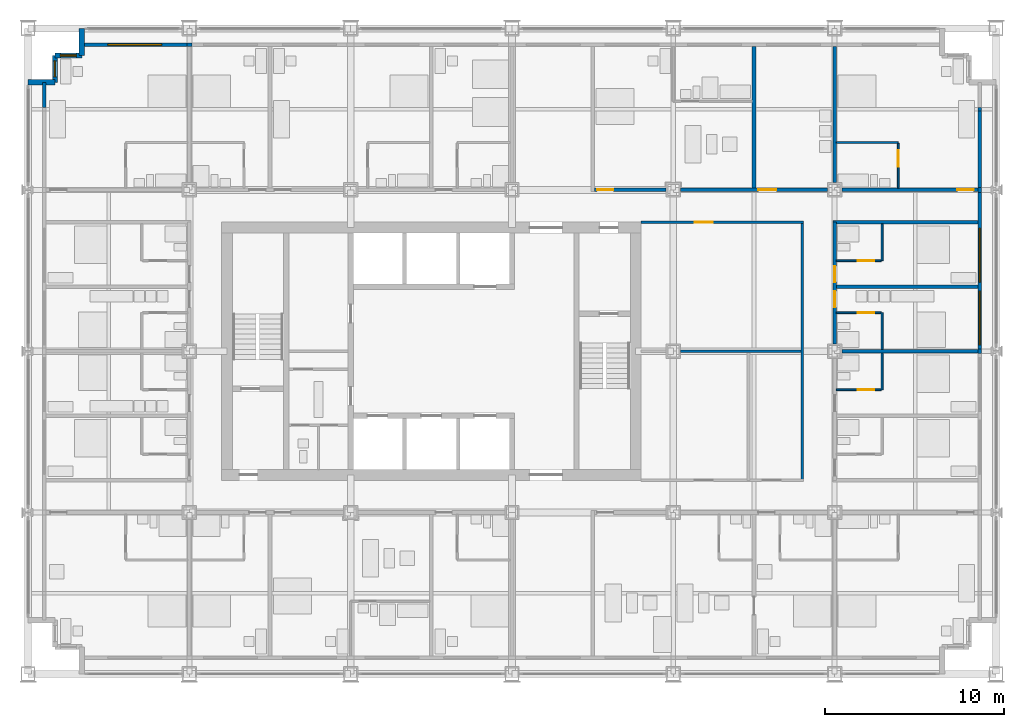
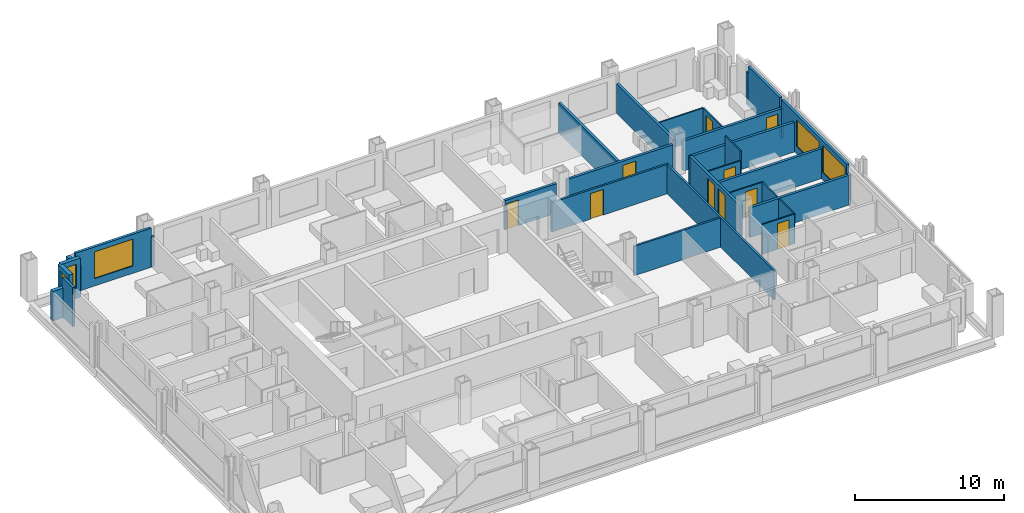
# One storey, part 14 of 18: 32 walls, 10 doors, 5 windows, 15 openings.
"""IFC4 building model written with IfcOpenShell, lengths in metres."""

from ifc_helpers import new_model, si_unit, direction, frame, frame_2d, origin, place, context, subcontext, project, spatial, rectangle, extrude, material, layer, layer_set, type_object, element, fill, save


model = new_model("IFC4")

# Units and contexts
model_context = context("Model", 3, precision=1e-05, world=origin(), true_north=direction((0.0, 1.0)))
body_context = subcontext(model_context, "Body", "Model", "MODEL_VIEW")
ifc_project = project(units=[si_unit("LENGTHUNIT", "METRE"), si_unit("AREAUNIT", "SQUARE_METRE"), si_unit("VOLUMEUNIT", "CUBIC_METRE"), si_unit("PLANEANGLEUNIT", "RADIAN"), si_unit("MASSUNIT", "GRAM", prefix="KILO")], contexts=[model_context])

# Site, building, storey
site_placement = place(None, origin())
site = spatial("IfcSite", under=ifc_project, at=site_placement, CompositionType="ELEMENT")
building_placement = place(site_placement, origin())
building = spatial("IfcBuilding", under=site, at=building_placement, Name="Loomwork Tower", CompositionType="ELEMENT")
storey_placement = place(building_placement, frame((0.0, 0.0, 55.199951171875)))
storey = spatial("IfcBuildingStorey", under=building, at=storey_placement, Name="L13", CompositionType="ELEMENT", Elevation=55.199951171875)

# Wall, opening, door
ifc_material_1 = material(Name="Gypsum board on steel studs, one-hour", Category="steel")
ifc_layer_1 = layer(ifc_material_1, 0.199951171875)
ifc_layer_set_1 = layer_set([ifc_layer_1], Name="Corridor wall 200")
wall_type_1 = type_object("IfcWallType", Name="Corridor wall 200", PredefinedType="PARTITIONING", material=ifc_layer_set_1)
wall_1_placement = place(storey_placement, frame((31.60009765625, 27.0, 0.0), z_axis=(0.0, 0.0, 1.0), x_axis=(1.0, 0.0, 0.0)))
wall_1 = element("IfcWall", 1, at=wall_1_placement, inside=storey, type_object=wall_type_1, Name="North corridor wall 4", PredefinedType="PARTITIONING", context=body_context, shape_type="SweptSolid", body=[
    extrude(rectangle(XDim=4.0, YDim=0.199951171875, at=frame_2d((2.0, 0.0))), origin(), (0.0, 0.0, 1.0), 2.405029296875),
])
opening_1_placement = place(wall_1_placement, frame((0.14990234375, 0.0, 0.0)))
opening_1 = element("IfcOpeningElement", 2, at=opening_1_placement, cuts=wall_1, Name="Opening D1", PredefinedType="OPENING", context=body_context, shape_type="SweptSolid", body=[
    extrude(rectangle(XDim=0.89990234375, YDim=2.10009765625, at=frame_2d((0.449951171875, 1.050048828125))), frame((0.0, 0.10986328125, 0.0), z_axis=(0.0, -1.0, 0.0), x_axis=(1.0, 0.0, 0.0)), (0.0, 0.0, 1.0), 0.219970703125),
])
ifc_material_2 = material(Name="Hollow metal door and frame")
door_type_1 = type_object("IfcDoorType", Name="Guest room entry door 900", OperationType="SINGLE_SWING_LEFT", PredefinedType="DOOR", material=ifc_material_2)
door_1_placement = place(opening_1_placement, origin())
door_1 = element("IfcDoor", 3, at=door_1_placement, inside=storey, type_object=door_type_1, Name="Guest room entry door L13 12", OperationType="SINGLE_SWING_LEFT", OverallHeight=2.10009765625, OverallWidth=0.89990234375, PredefinedType="DOOR", context=body_context, shape_type="SweptSolid", body=[
    extrude(rectangle(XDim=0.89990234375, YDim=2.10009765625, at=frame_2d((0.449951171875, 1.050048828125))), frame((0.0, 0.02490234375, 0.0), z_axis=(0.0, -1.0, 0.0), x_axis=(1.0, 0.0, 0.0)), (0.0, 0.0, 1.0), 0.050048828125),
])
fill(opening_1, door_1)

wall_2_placement = place(storey_placement, frame((36.39990234375, 27.0, 0.0), z_axis=(0.0, 0.0, 1.0), x_axis=(1.0, 0.0, 0.0)))
wall_2 = element("IfcWall", 4, at=wall_2_placement, inside=storey, type_object=wall_type_1, Name="North corridor wall 5", PredefinedType="PARTITIONING", context=body_context, shape_type="SweptSolid", body=[
    extrude(rectangle(XDim=8.2001953125, YDim=0.199951171875, at=frame_2d((4.10009765625, 0.0))), origin(), (0.0, 0.0, 1.0), 2.43798828125),
])
opening_2_placement = place(wall_2_placement, frame((4.35009765625, 0.0, 0.0)))
opening_2 = element("IfcOpeningElement", 5, at=opening_2_placement, cuts=wall_2, Name="Opening D15", PredefinedType="OPENING", context=body_context, shape_type="SweptSolid", body=[
    extrude(rectangle(XDim=1.0, YDim=2.10009765625, at=frame_2d((0.5, 1.050048828125))), frame((0.0, 0.10986328125, 0.0), z_axis=(0.0, -1.0, 0.0), x_axis=(1.0, 0.0, 0.0)), (0.0, 0.0, 1.0), 0.219970703125),
])
ifc_material_3 = material(Name="Hollow metal door and frame")
door_type_2 = type_object("IfcDoorType", Name="Fire-rated room door 1000", OperationType="SINGLE_SWING_LEFT", PredefinedType="DOOR", material=ifc_material_3)
door_2_placement = place(opening_2_placement, origin())
door_2 = element("IfcDoor", 6, at=door_2_placement, inside=storey, type_object=door_type_2, Name="Guest laundry door L13 13", OperationType="SINGLE_SWING_LEFT", OverallHeight=2.10009765625, OverallWidth=1.0, PredefinedType="DOOR", context=body_context, shape_type="SweptSolid", body=[
    extrude(rectangle(XDim=1.0, YDim=2.10009765625, at=frame_2d((0.5, 1.050048828125))), frame((0.0, 0.02490234375, 0.0), z_axis=(0.0, -1.0, 0.0), x_axis=(1.0, 0.0, 0.0)), (0.0, 0.0, 1.0), 0.050048828125),
])
fill(opening_2, door_2)

wall_3_placement = place(storey_placement, frame((45.39990234375, 27.0, 0.0), z_axis=(0.0, 0.0, 1.0), x_axis=(1.0, 0.0, 0.0)))
wall_3 = element("IfcWall", 7, at=wall_3_placement, inside=storey, type_object=wall_type_1, Name="North corridor wall 6", PredefinedType="PARTITIONING", context=body_context, shape_type="SweptSolid", body=[
    extrude(rectangle(XDim=7.60009765625, YDim=0.199951171875, at=frame_2d((3.800048828125, 0.0))), origin(), (0.0, 0.0, 1.0), 2.43798828125),
])
opening_3_placement = place(wall_3_placement, frame((6.449951171875, 0.0, 0.0)))
opening_3 = element("IfcOpeningElement", 8, at=opening_3_placement, cuts=wall_3, Name="Opening D1", PredefinedType="OPENING", context=body_context, shape_type="SweptSolid", body=[
    extrude(rectangle(XDim=0.89990234375, YDim=2.10009765625, at=frame_2d((0.449951171875, 1.050048828125))), frame((0.0, 0.10986328125, 0.0), z_axis=(0.0, -1.0, 0.0), x_axis=(1.0, 0.0, 0.0)), (0.0, 0.0, 1.0), 0.219970703125),
])
door_3_placement = place(opening_3_placement, origin())
door_3 = element("IfcDoor", 9, at=door_3_placement, inside=storey, type_object=door_type_1, Name="Guest room entry door L13 14", OperationType="SINGLE_SWING_RIGHT", OverallHeight=2.10009765625, OverallWidth=0.89990234375, PredefinedType="DOOR", context=body_context, shape_type="SweptSolid", body=[
    extrude(rectangle(XDim=0.89990234375, YDim=2.10009765625, at=frame_2d((0.449951171875, 1.050048828125))), frame((0.0, 0.02490234375, 0.0), z_axis=(0.0, -1.0, 0.0), x_axis=(1.0, 0.0, 0.0)), (0.0, 0.0, 1.0), 0.050048828125),
])
fill(opening_3, door_3)

# Wall, openings, doors
wall_4_placement = place(storey_placement, frame((45.0, 18.39990234375, 0.0), z_axis=(0.0, 0.0, 1.0), x_axis=(0.0, 1.0, 0.0)))
wall_4 = element("IfcWall", 10, at=wall_4_placement, inside=storey, type_object=wall_type_1, Name="East corridor wall 2", PredefinedType="PARTITIONING", context=body_context, shape_type="SweptSolid", body=[
    extrude(rectangle(XDim=6.800048828125, YDim=0.199951171875, at=frame_2d((3.39990234375, 0.0))), origin(), (0.0, 0.0, 1.0), 2.43798828125),
])
opening_4_placement = place(wall_4_placement, frame((2.050048828125, 0.0, 0.0)))
opening_4 = element("IfcOpeningElement", 11, at=opening_4_placement, cuts=wall_4, Name="Opening D1", PredefinedType="OPENING", context=body_context, shape_type="SweptSolid", body=[
    extrude(rectangle(XDim=0.89990234375, YDim=2.10009765625, at=frame_2d((0.449951171875, 1.050048828125))), frame((0.0, 0.10986328125, 0.0), z_axis=(0.0, -1.0, 0.0), x_axis=(1.0, 0.0, 0.0)), (0.0, 0.0, 1.0), 0.219970703125),
])
opening_5_placement = place(wall_4_placement, frame((3.449951171875, 0.0, 0.0)))
opening_5 = element("IfcOpeningElement", 12, at=opening_5_placement, cuts=wall_4, Name="Opening D1", PredefinedType="OPENING", context=body_context, shape_type="SweptSolid", body=[
    extrude(rectangle(XDim=0.89990234375, YDim=2.10009765625, at=frame_2d((0.449951171875, 1.050048828125))), frame((0.0, 0.10986328125, 0.0), z_axis=(0.0, -1.0, 0.0), x_axis=(1.0, 0.0, 0.0)), (0.0, 0.0, 1.0), 0.219970703125),
])
door_4_placement = place(opening_4_placement, frame((0.89990234375, 0.0, 0.0), z_axis=(0.0, 0.0, 1.0), x_axis=(-1.0, 0.0, 0.0)))
door_4 = element("IfcDoor", 13, at=door_4_placement, inside=storey, type_object=door_type_1, Name="Guest room entry door L13 21", OperationType="SINGLE_SWING_LEFT", OverallHeight=2.10009765625, OverallWidth=0.89990234375, PredefinedType="DOOR", context=body_context, shape_type="SweptSolid", body=[
    extrude(rectangle(XDim=0.89990234375, YDim=2.10009765625, at=frame_2d((0.449951171875, 1.050048828125))), frame((0.0, 0.02490234375, 0.0), z_axis=(0.0, -1.0, 0.0), x_axis=(1.0, 0.0, 0.0)), (0.0, 0.0, 1.0), 0.050048828125),
])
fill(opening_4, door_4)
door_5_placement = place(opening_5_placement, frame((0.89990234375, 0.0, 0.0), z_axis=(0.0, 0.0, 1.0), x_axis=(-1.0, 0.0, 0.0)))
door_5 = element("IfcDoor", 14, at=door_5_placement, inside=storey, type_object=door_type_1, Name="Guest room entry door L13 22", OperationType="SINGLE_SWING_RIGHT", OverallHeight=2.10009765625, OverallWidth=0.89990234375, PredefinedType="DOOR", context=body_context, shape_type="SweptSolid", body=[
    extrude(rectangle(XDim=0.89990234375, YDim=2.10009765625, at=frame_2d((0.449951171875, 1.050048828125))), frame((0.0, 0.02490234375, 0.0), z_axis=(0.0, -1.0, 0.0), x_axis=(1.0, 0.0, 0.0)), (0.0, 0.0, 1.0), 0.050048828125),
])
fill(opening_5, door_5)

# Walls
wall_5_placement = place(storey_placement, frame((44.89990234375, 25.199951171875, 0.0), z_axis=(0.0, 0.0, 1.0), x_axis=(1.0, 0.0, 0.0)))
element("IfcWall", 15, at=wall_5_placement, inside=storey, type_object=wall_type_1, Name="East band end wall N", PredefinedType="PARTITIONING", context=body_context, shape_type="SweptSolid", body=[
    extrude(rectangle(XDim=8.10009765625, YDim=0.199951171875, at=frame_2d((4.050048828125, 0.0))), origin(), (0.0, 0.0, 1.0), 2.43798828125),
])
ifc_material_4 = material(Name="Cement board on steel studs", Category="steel")
ifc_layer_2 = layer(ifc_material_4, 0.10009765625)
ifc_layer_set_2 = layer_set([ifc_layer_2], Name="En-suite partition 100")
wall_type_2 = type_object("IfcWallType", Name="En-suite partition 100", PredefinedType="PARTITIONING", material=ifc_layer_set_2)
wall_6_placement = place(storey_placement, frame((45.10009765625, 29.64990234375, 0.0), z_axis=(0.0, 0.0, 1.0), x_axis=(1.0, 0.0, 0.0)))
element("IfcWall", 16, at=wall_6_placement, inside=storey, type_object=wall_type_2, Name="En-suite wall L13 room 14", PredefinedType="PARTITIONING", context=body_context, shape_type="SweptSolid", body=[
    extrude(rectangle(XDim=3.449951171875, YDim=0.10009765625, at=frame_2d((1.72509765625, 0.0))), origin(), (0.0, 0.0, 1.0), 2.43798828125),
])

# Wall, opening, door
wall_7_placement = place(storey_placement, frame((48.550048828125, 27.10009765625, 0.0), z_axis=(0.0, 0.0, 1.0), x_axis=(0.0, 1.0, 0.0)))
wall_7 = element("IfcWall", 17, at=wall_7_placement, inside=storey, type_object=wall_type_2, Name="En-suite side wall L13 room 14", PredefinedType="PARTITIONING", context=body_context, shape_type="SweptSolid", body=[
    extrude(rectangle(XDim=2.5, YDim=0.10009765625, at=frame_2d((1.25, 0.0))), origin(), (0.0, 0.0, 1.0), 2.43798828125),
])
opening_6_placement = place(wall_7_placement, frame((1.199951171875, 0.0, 0.0)))
opening_6 = element("IfcOpeningElement", 18, at=opening_6_placement, cuts=wall_7, Name="Opening D2", PredefinedType="OPENING", context=body_context, shape_type="SweptSolid", body=[
    extrude(rectangle(XDim=0.89990234375, YDim=2.10009765625, at=frame_2d((0.449951171875, 1.050048828125))), frame((0.0, 0.06005859375, 0.0), z_axis=(0.0, -1.0, 0.0), x_axis=(1.0, 0.0, 0.0)), (0.0, 0.0, 1.0), 0.1201171875),
])
ifc_material_5 = material(Name="Hollow metal door and frame")
door_type_3 = type_object("IfcDoorType", Name="En-suite door 900", OperationType="SINGLE_SWING_LEFT", PredefinedType="DOOR", material=ifc_material_5)
door_6_placement = place(opening_6_placement, origin())
door_6 = element("IfcDoor", 19, at=door_6_placement, inside=storey, type_object=door_type_3, Name="En-suite door room 14", OperationType="SINGLE_SWING_RIGHT", OverallHeight=2.10009765625, OverallWidth=0.89990234375, PredefinedType="DOOR", context=body_context, shape_type="SweptSolid", body=[
    extrude(rectangle(XDim=0.89990234375, YDim=2.10009765625, at=frame_2d((0.449951171875, 1.050048828125))), frame((0.0, 0.02490234375, 0.0), z_axis=(0.0, -1.0, 0.0), x_axis=(1.0, 0.0, 0.0)), (0.0, 0.0, 1.0), 0.050048828125),
])
fill(opening_6, door_6)

# Wall
wall_8_placement = place(storey_placement, frame((47.64990234375, 15.85009765625, 0.0), z_axis=(0.0, 0.0, 1.0), x_axis=(0.0, 1.0, 0.0)))
element("IfcWall", 20, at=wall_8_placement, inside=storey, type_object=wall_type_2, Name="En-suite wall L13 room 20", PredefinedType="PARTITIONING", context=body_context, shape_type="SweptSolid", body=[
    extrude(rectangle(XDim=2.0498046875, YDim=0.10009765625, at=frame_2d((1.02490234375, 0.0))), origin(), (0.0, 0.0, 1.0), 2.43798828125),
])

# Wall, opening, door
wall_9_placement = place(storey_placement, frame((45.10009765625, 15.85009765625, 0.0), z_axis=(0.0, 0.0, 1.0), x_axis=(1.0, 0.0, 0.0)))
wall_9 = element("IfcWall", 21, at=wall_9_placement, inside=storey, type_object=wall_type_2, Name="En-suite side wall L13 room 20", PredefinedType="PARTITIONING", context=body_context, shape_type="SweptSolid", body=[
    extrude(rectangle(XDim=2.5, YDim=0.10009765625, at=frame_2d((1.25, 0.0))), origin(), (0.0, 0.0, 1.0), 2.43798828125),
])
opening_7_placement = place(wall_9_placement, frame((1.199951171875, 0.0, 0.0)))
opening_7 = element("IfcOpeningElement", 22, at=opening_7_placement, cuts=wall_9, Name="Opening D2", PredefinedType="OPENING", context=body_context, shape_type="SweptSolid", body=[
    extrude(rectangle(XDim=0.89990234375, YDim=2.10009765625, at=frame_2d((0.449951171875, 1.050048828125))), frame((0.0, 0.06005859375, 0.0), z_axis=(0.0, -1.0, 0.0), x_axis=(1.0, 0.0, 0.0)), (0.0, 0.0, 1.0), 0.1201171875),
])
door_7_placement = place(opening_7_placement, origin())
door_7 = element("IfcDoor", 23, at=door_7_placement, inside=storey, type_object=door_type_3, Name="En-suite door room 20", OperationType="SINGLE_SWING_RIGHT", OverallHeight=2.10009765625, OverallWidth=0.89990234375, PredefinedType="DOOR", context=body_context, shape_type="SweptSolid", body=[
    extrude(rectangle(XDim=0.89990234375, YDim=2.10009765625, at=frame_2d((0.449951171875, 1.050048828125))), frame((0.0, 0.02490234375, 0.0), z_axis=(0.0, -1.0, 0.0), x_axis=(1.0, 0.0, 0.0)), (0.0, 0.0, 1.0), 0.050048828125),
])
fill(opening_7, door_7)

# Wall
wall_10_placement = place(storey_placement, frame((47.64990234375, 18.10009765625, 0.0), z_axis=(0.0, 0.0, 1.0), x_axis=(0.0, 1.0, 0.0)))
element("IfcWall", 24, at=wall_10_placement, inside=storey, type_object=wall_type_2, Name="En-suite wall L13 room 21", PredefinedType="PARTITIONING", context=body_context, shape_type="SweptSolid", body=[
    extrude(rectangle(XDim=2.0498046875, YDim=0.10009765625, at=frame_2d((1.02490234375, 0.0))), origin(), (0.0, 0.0, 1.0), 2.43798828125),
])

# Wall, opening, door
wall_11_placement = place(storey_placement, frame((45.10009765625, 20.14990234375, 0.0), z_axis=(0.0, 0.0, 1.0), x_axis=(1.0, 0.0, 0.0)))
wall_11 = element("IfcWall", 25, at=wall_11_placement, inside=storey, type_object=wall_type_2, Name="En-suite side wall L13 room 21", PredefinedType="PARTITIONING", context=body_context, shape_type="SweptSolid", body=[
    extrude(rectangle(XDim=2.5, YDim=0.10009765625, at=frame_2d((1.25, 0.0))), origin(), (0.0, 0.0, 1.0), 2.43798828125),
])
opening_8_placement = place(wall_11_placement, frame((1.199951171875, 0.0, 0.0)))
opening_8 = element("IfcOpeningElement", 26, at=opening_8_placement, cuts=wall_11, Name="Opening D2", PredefinedType="OPENING", context=body_context, shape_type="SweptSolid", body=[
    extrude(rectangle(XDim=0.89990234375, YDim=2.10009765625, at=frame_2d((0.449951171875, 1.050048828125))), frame((0.0, 0.06005859375, 0.0), z_axis=(0.0, -1.0, 0.0), x_axis=(1.0, 0.0, 0.0)), (0.0, 0.0, 1.0), 0.1201171875),
])
door_8_placement = place(opening_8_placement, frame((0.89990234375, 0.0, 0.0), z_axis=(0.0, 0.0, 1.0), x_axis=(-1.0, 0.0, 0.0)))
door_8 = element("IfcDoor", 27, at=door_8_placement, inside=storey, type_object=door_type_3, Name="En-suite door room 21", OperationType="SINGLE_SWING_LEFT", OverallHeight=2.10009765625, OverallWidth=0.89990234375, PredefinedType="DOOR", context=body_context, shape_type="SweptSolid", body=[
    extrude(rectangle(XDim=0.89990234375, YDim=2.10009765625, at=frame_2d((0.449951171875, 1.050048828125))), frame((0.0, 0.02490234375, 0.0), z_axis=(0.0, -1.0, 0.0), x_axis=(1.0, 0.0, 0.0)), (0.0, 0.0, 1.0), 0.050048828125),
])
fill(opening_8, door_8)

# Wall
wall_12_placement = place(storey_placement, frame((47.64990234375, 23.050048828125, 0.0), z_axis=(0.0, 0.0, 1.0), x_axis=(0.0, 1.0, 0.0)))
element("IfcWall", 28, at=wall_12_placement, inside=storey, type_object=wall_type_2, Name="En-suite wall L13 room 22", PredefinedType="PARTITIONING", context=body_context, shape_type="SweptSolid", body=[
    extrude(rectangle(XDim=2.050048828125, YDim=0.10009765625, at=frame_2d((1.02490234375, 0.0))), origin(), (0.0, 0.0, 1.0), 3.199951171875),
])

# Wall, opening, door
wall_13_placement = place(storey_placement, frame((45.10009765625, 23.050048828125, 0.0), z_axis=(0.0, 0.0, 1.0), x_axis=(1.0, 0.0, 0.0)))
wall_13 = element("IfcWall", 29, at=wall_13_placement, inside=storey, type_object=wall_type_2, Name="En-suite side wall L13 room 22", PredefinedType="PARTITIONING", context=body_context, shape_type="SweptSolid", body=[
    extrude(rectangle(XDim=2.5, YDim=0.10009765625, at=frame_2d((1.25, 0.0))), origin(), (0.0, 0.0, 1.0), 2.43798828125),
])
opening_9_placement = place(wall_13_placement, frame((1.199951171875, 0.0, 0.0)))
opening_9 = element("IfcOpeningElement", 30, at=opening_9_placement, cuts=wall_13, Name="Opening D3", PredefinedType="OPENING", context=body_context, shape_type="SweptSolid", body=[
    extrude(rectangle(XDim=0.89990234375, YDim=2.10009765625, at=frame_2d((0.449951171875, 1.050048828125))), frame((0.0, 0.06005859375, 0.0), z_axis=(0.0, -1.0, 0.0), x_axis=(1.0, 0.0, 0.0)), (0.0, 0.0, 1.0), 0.1201171875),
])
ifc_material_6 = material(Name="Hollow metal door and frame")
door_type_4 = type_object("IfcDoorType", Name="Accessible en-suite door 900", OperationType="SLIDING_TO_LEFT", PredefinedType="DOOR", material=ifc_material_6)
door_9_placement = place(opening_9_placement, origin())
door_9 = element("IfcDoor", 31, at=door_9_placement, inside=storey, type_object=door_type_4, Name="Accessible en-suite door room 22", OperationType="SLIDING_TO_LEFT", OverallHeight=2.10009765625, OverallWidth=0.89990234375, PredefinedType="DOOR", context=body_context, shape_type="SweptSolid", body=[
    extrude(rectangle(XDim=0.89990234375, YDim=2.10009765625, at=frame_2d((0.449951171875, 1.050048828125))), frame((0.0, 0.02490234375, 0.0), z_axis=(0.0, -1.0, 0.0), x_axis=(1.0, 0.0, 0.0)), (0.0, 0.0, 1.0), 0.050048828125),
])
fill(opening_9, door_9)

# Walls
ifc_material_7 = material(Name="Gypsum board on steel studs, acoustic", Category="steel")
ifc_layer_3 = layer(ifc_material_7, 0.199951171875)
ifc_layer_set_3 = layer_set([ifc_layer_3], Name="Guest room party wall 200")
wall_type_3 = type_object("IfcWallType", Name="Guest room party wall 200", PredefinedType="PARTITIONING", material=ifc_layer_set_3)
wall_14_placement = place(storey_placement, frame((40.5, 27.10009765625, 0.0), z_axis=(0.0, 0.0, 1.0), x_axis=(0.0, 1.0, 0.0)))
element("IfcWall", 32, at=wall_14_placement, inside=storey, type_object=wall_type_3, Name="Guest room party wall N 40.5", PredefinedType="PARTITIONING", context=body_context, shape_type="SweptSolid", body=[
    extrude(rectangle(XDim=7.89990234375, YDim=0.199951171875, at=frame_2d((3.949951171875, 0.0))), origin(), (0.0, 0.0, 1.0), 2.43798828125),
])
for number, where, z_axis, x_axis, name in (
    (33, (45.0, 27.39990234375, 0.0), (0.0, 0.0, 1.0), (0.0, 1.0, 0.0), "Guest room party wall N 45"),
    (34, (45.39990234375, 18.0, 0.0), (0.0, 0.0, 1.0), (1.0, 0.0, 0.0), "Guest room party wall E 18"),
):
    element("IfcWall", number, at=place(storey_placement, frame(where, z_axis=z_axis, x_axis=x_axis)), inside=storey, type_object=wall_type_3, Name=name, PredefinedType="PARTITIONING", context=body_context, shape_type="SweptSolid", body=[
        extrude(rectangle(XDim=7.60009765625, YDim=0.199951171875, at=frame_2d((3.800048828125, 0.0))), origin(), (0.0, 0.0, 1.0), 2.43798828125),
    ])
wall_15_placement = place(storey_placement, frame((45.10009765625, 21.60009765625, 0.0), z_axis=(0.0, 0.0, 1.0), x_axis=(1.0, 0.0, 0.0)))
element("IfcWall", 35, at=wall_15_placement, inside=storey, type_object=wall_type_3, Name="Guest room party wall E 21.6", PredefinedType="PARTITIONING", context=body_context, shape_type="SweptSolid", body=[
    extrude(rectangle(XDim=7.89990234375, YDim=0.199951171875, at=frame_2d((3.949951171875, 0.0))), origin(), (0.0, 0.0, 1.0), 2.43798828125),
])

# Wall, opening, window
ifc_material_8 = material(Name="Insulated steel stud wall with gypsum lining", Category="steel")
ifc_layer_4 = layer(ifc_material_8, 0.199951171875)
ifc_layer_set_4 = layer_set([ifc_layer_4], Name="Inner skin wall 200")
wall_type_4 = type_object("IfcWallType", Name="Inner skin wall 200", PredefinedType="SOLIDWALL", material=ifc_layer_set_4)
wall_16_placement = place(storey_placement, frame((3.0, 35.10009765625, 0.0), z_axis=(0.0, 0.0, 1.0), x_axis=(1.0, 0.0, 0.0)))
wall_16 = element("IfcWall", 36, at=wall_16_placement, inside=storey, type_object=wall_type_4, Name="Inner skin wall N", PredefinedType="SOLIDWALL", context=body_context, shape_type="SweptSolid", body=[
    extrude(rectangle(XDim=5.86474609375, YDim=0.199951171875, at=frame_2d((2.932373046875, 0.0))), origin(), (0.0, 0.0, 1.0), 3.199951171875),
])
opening_10_placement = place(wall_16_placement, frame((1.449951171875, 0.0, 0.60009765625)))
opening_10 = element("IfcOpeningElement", 37, at=opening_10_placement, cuts=wall_16, Name="Opening CH1", PredefinedType="OPENING", context=body_context, shape_type="SweptSolid", body=[
    extrude(rectangle(XDim=3.0, YDim=2.199951171875, at=frame_2d((1.5, 1.10009765625))), frame((0.0, 0.10986328125, 0.0), z_axis=(0.0, -1.0, 0.0), x_axis=(1.0, 0.0, 0.0)), (0.0, 0.0, 1.0), 0.219970703125),
])
ifc_material_9 = material(Name="Aluminium frame with clear insulated glass", Category="aluminium")
window_type_1 = type_object("IfcWindowType", Name="Chicago window 3000", PartitioningType="TRIPLE_PANEL_VERTICAL", PredefinedType="WINDOW", material=ifc_material_9)
window_1_placement = place(opening_10_placement, origin())
window_1 = element("IfcWindow", 38, at=window_1_placement, inside=storey, type_object=window_type_1, Name="Chicago window L13 bay 7", OverallHeight=2.199951171875, OverallWidth=3.0, PartitioningType="TRIPLE_PANEL_VERTICAL", PredefinedType="WINDOW", context=body_context, shape_type="SweptSolid", body=[
    extrude(rectangle(XDim=3.0, YDim=2.199951171875, at=frame_2d((1.5, 1.10009765625))), frame((0.0, 0.030029296875, 0.0), z_axis=(0.0, -1.0, 0.0), x_axis=(1.0, 0.0, 0.0)), (0.0, 0.0, 1.0), 0.06005859375),
])
fill(opening_10, window_1)

# Walls
wall_17_placement = place(storey_placement, frame((0.89990234375, 31.607421875, 0.0), z_axis=(0.0, 0.0, 1.0), x_axis=(0.0, 1.0, 0.0)))
element("IfcWall", 39, at=wall_17_placement, inside=storey, type_object=wall_type_4, Name="Inner skin wall W bay 11", PredefinedType="SOLIDWALL", context=body_context, shape_type="SweptSolid", body=[
    extrude(rectangle(XDim=1.392578125, YDim=0.199951171875, at=frame_2d((0.6962890625, 0.0))), origin(), (0.0, 0.0, 1.0), 3.199951171875),
])
wall_18_placement = place(storey_placement, frame((8.86474609375, 35.10009765625, 0.0), z_axis=(0.0, 0.0, 1.0), x_axis=(1.0, 0.0, 0.0)))
element("IfcWall", 40, at=wall_18_placement, inside=storey, type_object=wall_type_4, Name="Inner skin wall N bay 2", PredefinedType="SOLIDWALL", context=body_context, shape_type="SweptSolid", body=[
    extrude(rectangle(XDim=0.2705078125, YDim=0.199951171875, at=frame_2d((0.13525390625, 0.0))), origin(), (0.0, 0.0, 1.0), 2.43798828125),
])
wall_19_placement = place(storey_placement, frame((53.10009765625, 17.864501953125, 0.0), z_axis=(0.0, 0.0, 1.0), x_axis=(0.0, 1.0, 0.0)))
element("IfcWall", 41, at=wall_19_placement, inside=storey, type_object=wall_type_4, Name="Inner skin wall E bay 6", PredefinedType="SOLIDWALL", context=body_context, shape_type="SweptSolid", body=[
    extrude(rectangle(XDim=0.27099609375, YDim=0.199951171875, at=frame_2d((0.135498046875, 0.0))), origin(), (0.0, 0.0, 1.0), 2.43798828125),
])

# Wall, openings, windows
wall_20_placement = place(storey_placement, frame((53.10009765625, 18.135498046875, 0.0), z_axis=(0.0, 0.0, 1.0), x_axis=(0.0, 1.0, 0.0)))
wall_20 = element("IfcWall", 42, at=wall_20_placement, inside=storey, type_object=wall_type_4, Name="Inner skin wall E bay 7", PredefinedType="SOLIDWALL", context=body_context, shape_type="SweptSolid", body=[
    extrude(rectangle(XDim=8.729248046875, YDim=0.199951171875, at=frame_2d((4.36474609375, 0.0))), origin(), (0.0, 0.0, 1.0), 3.199951171875),
])
opening_11_placement = place(wall_20_placement, frame((0.214599609375, 0.0, 0.60009765625)))
opening_11 = element("IfcOpeningElement", 43, at=opening_11_placement, cuts=wall_20, Name="Opening CH1", PredefinedType="OPENING", context=body_context, shape_type="SweptSolid", body=[
    extrude(rectangle(XDim=3.0, YDim=2.199951171875, at=frame_2d((1.5, 1.10009765625))), frame((0.0, 0.10986328125, 0.0), z_axis=(0.0, -1.0, 0.0), x_axis=(1.0, 0.0, 0.0)), (0.0, 0.0, 1.0), 0.219970703125),
])
opening_12_placement = place(wall_20_placement, frame((3.714599609375, 0.0, 0.60009765625)))
opening_12 = element("IfcOpeningElement", 44, at=opening_12_placement, cuts=wall_20, Name="Opening CH1", PredefinedType="OPENING", context=body_context, shape_type="SweptSolid", body=[
    extrude(rectangle(XDim=3.0, YDim=2.199951171875, at=frame_2d((1.5, 1.10009765625))), frame((0.0, 0.10986328125, 0.0), z_axis=(0.0, -1.0, 0.0), x_axis=(1.0, 0.0, 0.0)), (0.0, 0.0, 1.0), 0.219970703125),
])
window_2_placement = place(opening_11_placement, origin())
window_2 = element("IfcWindow", 45, at=window_2_placement, inside=storey, type_object=window_type_1, Name="Chicago window L13 bay 16", OverallHeight=2.199951171875, OverallWidth=3.0, PartitioningType="TRIPLE_PANEL_VERTICAL", PredefinedType="WINDOW", context=body_context, shape_type="SweptSolid", body=[
    extrude(rectangle(XDim=3.0, YDim=2.199951171875, at=frame_2d((1.5, 1.10009765625))), frame((0.0, 0.030029296875, 0.0), z_axis=(0.0, -1.0, 0.0), x_axis=(1.0, 0.0, 0.0)), (0.0, 0.0, 1.0), 0.06005859375),
])
fill(opening_11, window_2)
window_3_placement = place(opening_12_placement, origin())
window_3 = element("IfcWindow", 46, at=window_3_placement, inside=storey, type_object=window_type_1, Name="Chicago window L13 bay 16", OverallHeight=2.199951171875, OverallWidth=3.0, PartitioningType="TRIPLE_PANEL_VERTICAL", PredefinedType="WINDOW", context=body_context, shape_type="SweptSolid", body=[
    extrude(rectangle(XDim=3.0, YDim=2.199951171875, at=frame_2d((1.5, 1.10009765625))), frame((0.0, 0.030029296875, 0.0), z_axis=(0.0, -1.0, 0.0), x_axis=(1.0, 0.0, 0.0)), (0.0, 0.0, 1.0), 0.06005859375),
])
fill(opening_12, window_3)

# Walls
wall_21_placement = place(storey_placement, frame((53.10009765625, 26.86474609375, 0.0), z_axis=(0.0, 0.0, 1.0), x_axis=(0.0, 1.0, 0.0)))
element("IfcWall", 47, at=wall_21_placement, inside=storey, type_object=wall_type_4, Name="Inner skin wall E bay 8", PredefinedType="SOLIDWALL", context=body_context, shape_type="SweptSolid", body=[
    extrude(rectangle(XDim=0.2705078125, YDim=0.199951171875, at=frame_2d((0.13525390625, 0.0))), origin(), (0.0, 0.0, 1.0), 2.43798828125),
])
wall_22_placement = place(storey_placement, frame((53.10009765625, 27.13525390625, 0.0), z_axis=(0.0, 0.0, 1.0), x_axis=(0.0, 1.0, 0.0)))
element("IfcWall", 48, at=wall_22_placement, inside=storey, type_object=wall_type_4, Name="Inner skin wall E bay 9", PredefinedType="SOLIDWALL", context=body_context, shape_type="SweptSolid", body=[
    extrude(rectangle(XDim=4.25732421875, YDim=0.199951171875, at=frame_2d((2.128662109375, 0.0))), origin(), (0.0, 0.0, 1.0), 3.199951171875),
])
wall_23_placement = place(storey_placement, frame((53.10009765625, 31.392578125, 0.0), z_axis=(0.0, 0.0, 1.0), x_axis=(0.0, 1.0, 0.0)))
element("IfcWall", 49, at=wall_23_placement, inside=storey, type_object=wall_type_4, Name="Inner skin wall E bay 10", PredefinedType="SOLIDWALL", context=body_context, shape_type="SweptSolid", body=[
    extrude(rectangle(XDim=0.21484375, YDim=0.199951171875, at=frame_2d((0.107421875, 0.0))), origin(), (0.0, 0.0, 1.0), 2.6611328125),
])
ifc_material_10 = material(Name="Limestone on concrete masonry", Category="masonry")
ifc_layer_5 = layer(ifc_material_10, 0.300048828125)
ifc_layer_set_5 = layer_set([ifc_layer_5], Name="Limestone corner wall 300")
wall_type_5 = type_object("IfcWallType", Name="Limestone corner wall 300", PredefinedType="SOLIDWALL", material=ifc_layer_set_5)
wall_24_placement = place(storey_placement, frame((3.0, 36.0, 0.0), z_axis=(0.0, 0.0, 1.0), x_axis=(0.0, -1.0, 0.0)))
element("IfcWall", 50, at=wall_24_placement, inside=storey, type_object=wall_type_5, Name="Stone corner wall NW 1", PredefinedType="SOLIDWALL", context=body_context, shape_type="SweptSolid", body=[
    extrude(rectangle(XDim=1.5, YDim=0.300048828125, at=frame_2d((0.75, 0.0))), origin(), (0.0, 0.0, 1.0), 2.420166015625),
])

# Wall, opening, window
wall_25_placement = place(storey_placement, frame((3.0, 34.5, 0.0), z_axis=(0.0, 0.0, 1.0), x_axis=(-1.0, 0.0, 0.0)))
wall_25 = element("IfcWall", 51, at=wall_25_placement, inside=storey, type_object=wall_type_5, Name="Stone corner wall NW 2", PredefinedType="SOLIDWALL", context=body_context, shape_type="SweptSolid", body=[
    extrude(rectangle(XDim=1.5, YDim=0.300048828125, at=frame_2d((0.75, 0.0))), origin(), (0.0, 0.0, 1.0), 3.199951171875),
])
opening_13_placement = place(wall_25_placement, frame((0.300048828125, 0.0, 0.60009765625)))
opening_13 = element("IfcOpeningElement", 52, at=opening_13_placement, cuts=wall_25, Name="Opening CH2", PredefinedType="OPENING", context=body_context, shape_type="SweptSolid", body=[
    extrude(rectangle(XDim=0.89990234375, YDim=2.199951171875, at=frame_2d((0.449951171875, 1.10009765625))), frame((0.0, 0.159912109375, 0.0), z_axis=(0.0, -1.0, 0.0), x_axis=(1.0, 0.0, 0.0)), (0.0, 0.0, 1.0), 0.320068359375),
])
ifc_material_11 = material(Name="Aluminium frame with clear insulated glass", Category="aluminium")
window_type_2 = type_object("IfcWindowType", Name="Corner window 900", PartitioningType="SINGLE_PANEL", PredefinedType="WINDOW", material=ifc_material_11)
window_4_placement = place(opening_13_placement, origin())
window_4 = element("IfcWindow", 53, at=window_4_placement, inside=storey, type_object=window_type_2, Name="Corner window NW", OverallHeight=2.199951171875, OverallWidth=0.89990234375, PartitioningType="SINGLE_PANEL", PredefinedType="WINDOW", context=body_context, shape_type="SweptSolid", body=[
    extrude(rectangle(XDim=0.89990234375, YDim=2.199951171875, at=frame_2d((0.449951171875, 1.10009765625))), frame((0.0, 0.030029296875, 0.0), z_axis=(0.0, -1.0, 0.0), x_axis=(1.0, 0.0, 0.0)), (0.0, 0.0, 1.0), 0.06005859375),
])
fill(opening_13, window_4)

wall_26_placement = place(storey_placement, frame((1.5, 34.5, 0.0), z_axis=(0.0, 0.0, 1.0), x_axis=(0.0, -1.0, 0.0)))
wall_26 = element("IfcWall", 54, at=wall_26_placement, inside=storey, type_object=wall_type_5, Name="Stone corner wall NW 3", PredefinedType="SOLIDWALL", context=body_context, shape_type="SweptSolid", body=[
    extrude(rectangle(XDim=1.5, YDim=0.300048828125, at=frame_2d((0.75, 0.0))), origin(), (0.0, 0.0, 1.0), 3.199951171875),
])
opening_14_placement = place(wall_26_placement, frame((0.300048828125, 0.0, 0.60009765625)))
opening_14 = element("IfcOpeningElement", 55, at=opening_14_placement, cuts=wall_26, Name="Opening CH2", PredefinedType="OPENING", context=body_context, shape_type="SweptSolid", body=[
    extrude(rectangle(XDim=0.89990234375, YDim=2.199951171875, at=frame_2d((0.449951171875, 1.10009765625))), frame((0.0, 0.159912109375, 0.0), z_axis=(0.0, -1.0, 0.0), x_axis=(1.0, 0.0, 0.0)), (0.0, 0.0, 1.0), 0.320068359375),
])
window_5_placement = place(opening_14_placement, origin())
window_5 = element("IfcWindow", 56, at=window_5_placement, inside=storey, type_object=window_type_2, Name="Corner window NW", OverallHeight=2.199951171875, OverallWidth=0.89990234375, PartitioningType="SINGLE_PANEL", PredefinedType="WINDOW", context=body_context, shape_type="SweptSolid", body=[
    extrude(rectangle(XDim=0.89990234375, YDim=2.199951171875, at=frame_2d((0.449951171875, 1.10009765625))), frame((0.0, 0.030029296875, 0.0), z_axis=(0.0, -1.0, 0.0), x_axis=(1.0, 0.0, 0.0)), (0.0, 0.0, 1.0), 0.06005859375),
])
fill(opening_14, window_5)

# Wall
wall_27_placement = place(storey_placement, frame((1.5, 33.0, 0.0), z_axis=(0.0, 0.0, 1.0), x_axis=(-1.0, 0.0, 0.0)))
element("IfcWall", 57, at=wall_27_placement, inside=storey, type_object=wall_type_5, Name="Stone corner wall NW 4", PredefinedType="SOLIDWALL", context=body_context, shape_type="SweptSolid", body=[
    extrude(rectangle(XDim=1.5, YDim=0.300048828125, at=frame_2d((0.75, 0.0))), origin(), (0.0, 0.0, 1.0), 2.420166015625),
])

# Wall, opening, door
ifc_material_12 = material(Name="Gypsum board on steel studs, one-hour", Category="steel")
ifc_layer_6 = layer(ifc_material_12, 0.14990234375)
ifc_layer_set_6 = layer_set([ifc_layer_6], Name="Service partition 150")
wall_type_6 = type_object("IfcWallType", Name="Service partition 150", PredefinedType="PARTITIONING", material=ifc_layer_set_6)
wall_28_placement = place(storey_placement, frame((34.199951171875, 25.199951171875, 0.0), z_axis=(0.0, 0.0, 1.0), x_axis=(1.0, 0.0, 0.0)))
wall_28 = element("IfcWall", 58, at=wall_28_placement, inside=storey, type_object=wall_type_6, Name="Service block wall N", PredefinedType="PARTITIONING", context=body_context, shape_type="SweptSolid", body=[
    extrude(rectangle(XDim=9.074951171875, YDim=0.14990234375, at=frame_2d((4.53759765625, 0.0))), origin(), (0.0, 0.0, 1.0), 2.404052734375),
])
opening_15_placement = place(wall_28_placement, frame((3.0, 0.0, 0.0)))
opening_15 = element("IfcOpeningElement", 59, at=opening_15_placement, cuts=wall_28, Name="Opening D5", PredefinedType="OPENING", context=body_context, shape_type="SweptSolid", body=[
    extrude(rectangle(XDim=1.0, YDim=2.10009765625, at=frame_2d((0.5, 1.050048828125))), frame((0.0, 0.0849609375, 0.0), z_axis=(0.0, -1.0, 0.0), x_axis=(1.0, 0.0, 0.0)), (0.0, 0.0, 1.0), 0.169921875),
])
ifc_material_13 = material(Name="Hollow metal door and frame")
door_type_5 = type_object("IfcDoorType", Name="Service door 1000", OperationType="SINGLE_SWING_LEFT", PredefinedType="DOOR", material=ifc_material_13)
door_10_placement = place(opening_15_placement, frame((1.0, 0.0, 0.0), z_axis=(0.0, 0.0, 1.0), x_axis=(-1.0, 0.0, 0.0)))
door_10 = element("IfcDoor", 60, at=door_10_placement, inside=storey, type_object=door_type_5, Name="Riser room door", OperationType="SINGLE_SWING_LEFT", OverallHeight=2.10009765625, OverallWidth=1.0, PredefinedType="DOOR", context=body_context, shape_type="SweptSolid", body=[
    extrude(rectangle(XDim=1.0, YDim=2.10009765625, at=frame_2d((0.5, 1.050048828125))), frame((0.0, 0.02490234375, 0.0), z_axis=(0.0, -1.0, 0.0), x_axis=(1.0, 0.0, 0.0)), (0.0, 0.0, 1.0), 0.050048828125),
])
fill(opening_15, door_10)

# Walls
wall_29_placement = place(storey_placement, frame((43.199951171875, 10.800048828125, 0.0), z_axis=(0.0, 0.0, 1.0), x_axis=(0.0, 1.0, 0.0)))
element("IfcWall", 61, at=wall_29_placement, inside=storey, type_object=wall_type_6, Name="Service block east wall", PredefinedType="PARTITIONING", context=body_context, shape_type="SweptSolid", body=[
    extrude(rectangle(XDim=14.39990234375, YDim=0.14990234375, at=frame_2d((7.199951171875, 0.0))), origin(), (0.0, 0.0, 1.0), 2.404052734375),
])
wall_30_placement = place(storey_placement, frame((36.39990234375, 18.0, 0.0), z_axis=(0.0, 0.0, 1.0), x_axis=(1.0, 0.0, 0.0)))
element("IfcWall", 62, at=wall_30_placement, inside=storey, type_object=wall_type_6, Name="Service block divider", PredefinedType="PARTITIONING", context=body_context, shape_type="SweptSolid", body=[
    extrude(rectangle(XDim=6.72509765625, YDim=0.14990234375, at=frame_2d((3.362548828125, 0.0))), origin(), (0.0, 0.0, 1.0), 2.405029296875),
])

save(model, "model.ifc")
